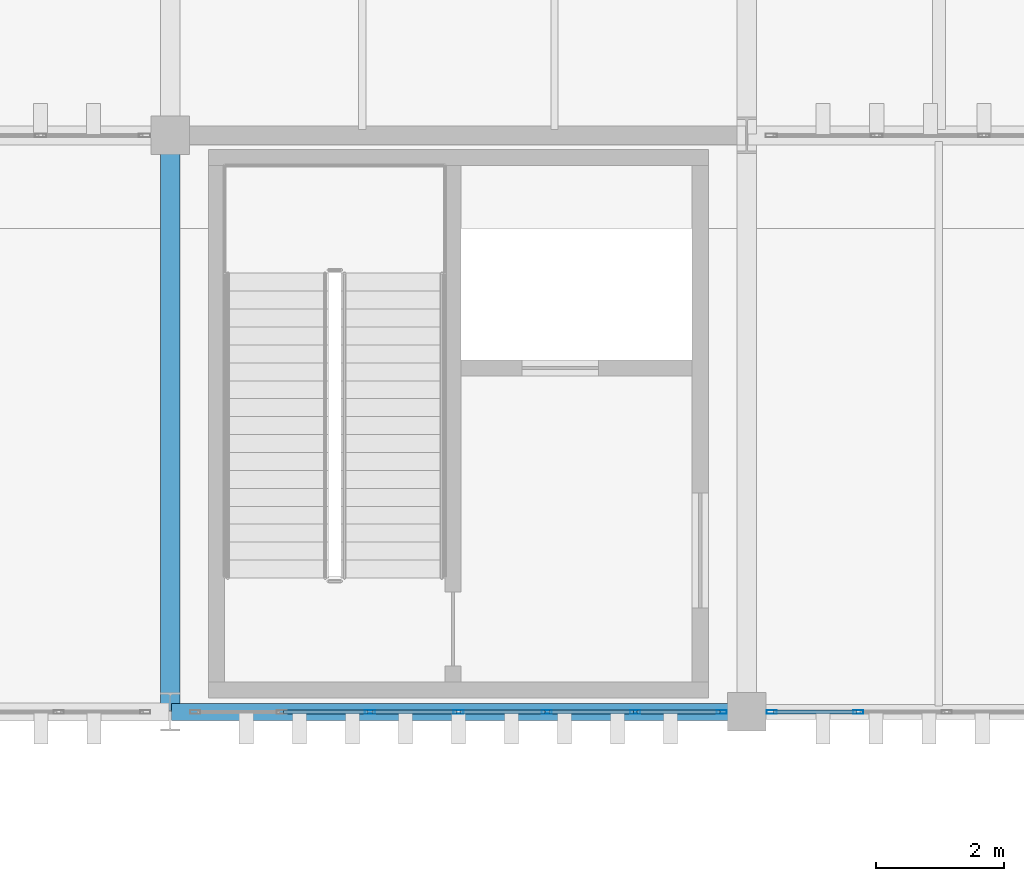
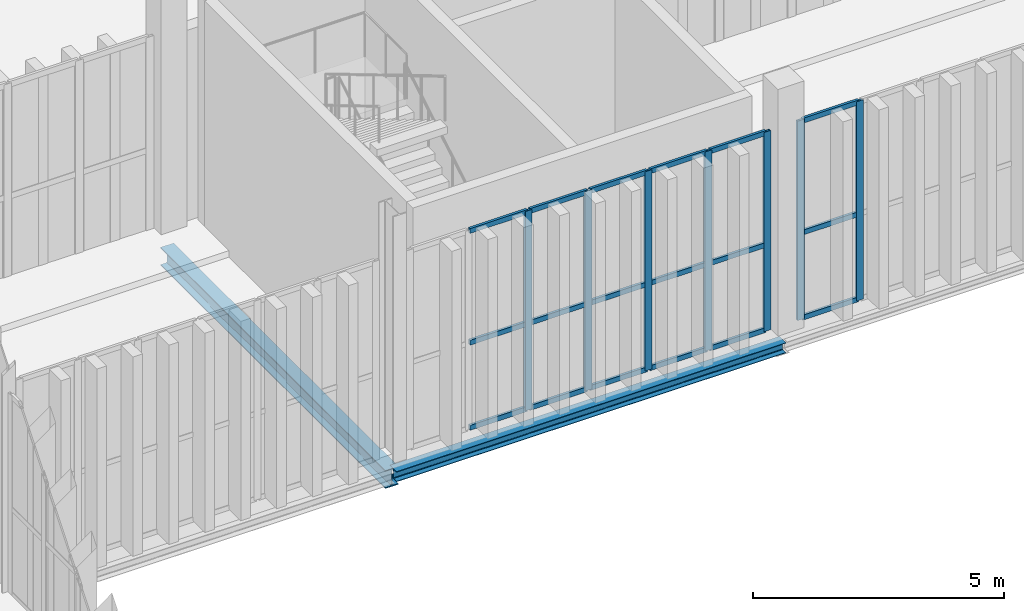
# One storey, part 141 of 237: 25 members, 2 beams, 2 elements without a shape of their own.
"""IFC4 building model written with IfcOpenShell, lengths in metres."""

from ifc_helpers import new_model, si_unit, direction, frame, origin, origin_2d, place, context, subcontext, project, spatial, hollow_rectangle, i_section, extrude, material, layer, layer_set, material_profile, profile_set, type_object, element, aggregate, save


model = new_model("IFC4")

# Units and contexts
model_context = context("Model", 3, precision=1e-05, world=origin(), true_north=direction((0.0, 1.0)))
body_context = subcontext(model_context, "Body", "Model", "MODEL_VIEW")
ifc_project = project(units=[si_unit("LENGTHUNIT", "METRE"), si_unit("AREAUNIT", "SQUARE_METRE"), si_unit("VOLUMEUNIT", "CUBIC_METRE"), si_unit("PLANEANGLEUNIT", "RADIAN"), si_unit("MASSUNIT", "GRAM", prefix="KILO")], contexts=[model_context])

# Site, building, storey
site_placement = place(None, origin())
site = spatial("IfcSite", under=ifc_project, at=site_placement, CompositionType="ELEMENT")
building_placement = place(site_placement, origin())
building = spatial("IfcBuilding", under=site, at=building_placement, Name="Barlavento Convention Centre", CompositionType="ELEMENT")
storey_placement = place(building_placement, frame((0.0, 0.0, 12.0)))
storey = spatial("IfcBuildingStorey", under=building, at=storey_placement, Name="L02", CompositionType="ELEMENT", Elevation=12.0)

# Curtain wall, members
ifc_material_1 = material(Name="Powder-coated aluminium and Low-E glass", Category="aluminium")
ifc_layer = layer(ifc_material_1, 0.195068359375)
ifc_layer_set = layer_set([ifc_layer], Name="ARC-CW-PATIO-A")
curtain_wall_type = type_object("IfcCurtainWallType", Name="ARC-CW-PATIO-A", PredefinedType="NOTDEFINED", material=ifc_layer_set)
curtain_wall_1_placement = place(storey_placement, origin())
curtain_wall_1 = element("IfcCurtainWall", 1, at=curtain_wall_1_placement, inside=storey, type_object=curtain_wall_type, Name="L02 unitised curtain wall CW11", PredefinedType="NOTDEFINED")
ifc_material_2 = material(Name="Powder-coated aluminium", Category="aluminium")
ifc_material_profile_1 = material_profile(ifc_material_2, hollow_rectangle(XDim=0.06005859375, YDim=0.159912109375, WallThickness=0.00390625, at=origin_2d()), Name="AL-MULL 60x160x4")
ifc_profile_set_1 = profile_set([ifc_material_profile_1], Name="Powder-coated aluminium")
member_type_1 = type_object("IfcMemberType", Name="ARC-CWM-60X160", PredefinedType="MULLION", material=ifc_profile_set_1)
member_1_placement = place(storey_placement, frame((147.1201171875, 90.0, 0.0), z_axis=(0.0, 0.0, 1.0), x_axis=(0.0, 1.0, 0.0)))
member_1 = element("IfcMember", 2, at=member_1_placement, type_object=member_type_1, Name="CW11 mullion 3", PredefinedType="MULLION", context=body_context, shape_type="SweptSolid", body=[
    extrude(hollow_rectangle(XDim=0.06005859375, YDim=0.159912109375, WallThickness=0.00390625, at=origin_2d()), origin(), (0.0, 0.0, 1.0), 4.85009765625),
])
member_2_placement = place(storey_placement, frame((148.5, 90.0, 0.0), z_axis=(0.0, 0.0, 1.0), x_axis=(0.0, 1.0, 0.0)))
member_2 = element("IfcMember", 3, at=member_2_placement, type_object=member_type_1, Name="CW11 mullion 4", PredefinedType="MULLION", context=body_context, shape_type="SweptSolid", body=[
    extrude(hollow_rectangle(XDim=0.06005859375, YDim=0.159912109375, WallThickness=0.00390625, at=origin_2d()), origin(), (0.0, 0.0, 1.0), 4.85009765625),
])
member_3_placement = place(storey_placement, frame((149.8798828125, 90.0, 0.0), z_axis=(0.0, 0.0, 1.0), x_axis=(0.0, 1.0, 0.0)))
member_3 = element("IfcMember", 4, at=member_3_placement, type_object=member_type_1, Name="CW11 mullion 5", PredefinedType="MULLION", context=body_context, shape_type="SweptSolid", body=[
    extrude(hollow_rectangle(XDim=0.06005859375, YDim=0.159912109375, WallThickness=0.00390625, at=origin_2d()), origin(), (0.0, 0.0, 1.0), 4.85009765625),
])
member_4_placement = place(storey_placement, frame((151.260009765625, 90.0, 0.0), z_axis=(0.0, 0.0, 1.0), x_axis=(0.0, 1.0, 0.0)))
member_4 = element("IfcMember", 5, at=member_4_placement, type_object=member_type_1, Name="CW11 mullion 6", PredefinedType="MULLION", context=body_context, shape_type="SweptSolid", body=[
    extrude(hollow_rectangle(XDim=0.06005859375, YDim=0.159912109375, WallThickness=0.00390625, at=origin_2d()), origin(), (0.0, 0.0, 1.0), 4.85009765625),
])
member_5_placement = place(storey_placement, frame((152.610107421875, 90.0, 0.0), z_axis=(0.0, 0.0, 1.0), x_axis=(0.0, 1.0, 0.0)))
member_5 = element("IfcMember", 6, at=member_5_placement, type_object=member_type_1, Name="CW11 mullion 7", PredefinedType="MULLION", context=body_context, shape_type="SweptSolid", body=[
    extrude(hollow_rectangle(XDim=0.06005859375, YDim=0.159912109375, WallThickness=0.00390625, at=origin_2d()), origin(), (0.0, 0.0, 1.0), 4.85009765625),
])

curtain_wall_2_placement = place(storey_placement, origin())
curtain_wall_2 = element("IfcCurtainWall", 7, at=curtain_wall_2_placement, inside=storey, type_object=curtain_wall_type, Name="L02 unitised curtain wall CW11", PredefinedType="NOTDEFINED")
member_6_placement = place(storey_placement, frame((153.389892578125, 90.0, 0.0), z_axis=(0.0, 0.0, 1.0), x_axis=(0.0, 1.0, 0.0)))
member_6 = element("IfcMember", 8, at=member_6_placement, type_object=member_type_1, Name="CW11 mullion 1", PredefinedType="MULLION", context=body_context, shape_type="SweptSolid", body=[
    extrude(hollow_rectangle(XDim=0.06005859375, YDim=0.159912109375, WallThickness=0.00390625, at=origin_2d()), origin(), (0.0, 0.0, 1.0), 4.85009765625),
])
member_7_placement = place(storey_placement, frame((154.742431640625, 90.0, 0.0), z_axis=(0.0, 0.0, 1.0), x_axis=(0.0, 1.0, 0.0)))
member_7 = element("IfcMember", 9, at=member_7_placement, type_object=member_type_1, Name="CW11 mullion 2", PredefinedType="MULLION", context=body_context, shape_type="SweptSolid", body=[
    extrude(hollow_rectangle(XDim=0.06005859375, YDim=0.159912109375, WallThickness=0.00390625, at=origin_2d()), origin(), (0.0, 0.0, 1.0), 4.85009765625),
])

# Member
ifc_material_profile_2 = material_profile(ifc_material_2, hollow_rectangle(XDim=0.06005859375, YDim=0.1201171875, WallThickness=0.00390625, at=origin_2d()), Name="AL-TRAN 60x120x4")
ifc_profile_set_2 = profile_set([ifc_material_profile_2], Name="Powder-coated aluminium")
member_type_2 = type_object("IfcMemberType", Name="ARC-CWT-60X120", PredefinedType="USERDEFINED", material=ifc_profile_set_2)
member_8_placement = place(storey_placement, frame((145.77001953125, 90.0, 0.030029296875), z_axis=(1.0, 0.0, 0.0), x_axis=(0.0, 1.0, 0.0)))
member_8 = element("IfcMember", 10, at=member_8_placement, type_object=member_type_2, Name="CW11 transom 2.1", ObjectType="TRANSOM", PredefinedType="USERDEFINED", context=body_context, shape_type="SweptSolid", body=[
    extrude(hollow_rectangle(XDim=0.06005859375, YDim=0.1201171875, WallThickness=0.00390625, at=origin_2d()), origin(), (0.0, 0.0, 1.0), 1.320068359375),
])

member_9_placement = place(storey_placement, frame((145.77001953125, 90.0, 2.10009765625), z_axis=(1.0, 0.0, 0.0), x_axis=(0.0, 1.0, 0.0)))
member_9 = element("IfcMember", 11, at=member_9_placement, type_object=member_type_2, Name="CW11 transom 2.2", ObjectType="TRANSOM", PredefinedType="USERDEFINED", context=body_context, shape_type="SweptSolid", body=[
    extrude(hollow_rectangle(XDim=0.06005859375, YDim=0.1201171875, WallThickness=0.00390625, at=origin_2d()), origin(), (0.0, 0.0, 1.0), 1.320068359375),
])

member_10_placement = place(storey_placement, frame((145.77001953125, 90.0, 4.820068359375), z_axis=(1.0, 0.0, 0.0), x_axis=(0.0, 1.0, 0.0)))
member_10 = element("IfcMember", 12, at=member_10_placement, type_object=member_type_2, Name="CW11 transom 2.3", ObjectType="TRANSOM", PredefinedType="USERDEFINED", context=body_context, shape_type="SweptSolid", body=[
    extrude(hollow_rectangle(XDim=0.06005859375, YDim=0.1201171875, WallThickness=0.00390625, at=origin_2d()), origin(), (0.0, 0.0, 1.0), 1.320068359375),
])

member_11_placement = place(storey_placement, frame((147.14990234375, 90.0, 0.030029296875), z_axis=(1.0, 0.0, 0.0), x_axis=(0.0, 1.0, 0.0)))
member_11 = element("IfcMember", 13, at=member_11_placement, type_object=member_type_2, Name="CW11 transom 3.1", ObjectType="TRANSOM", PredefinedType="USERDEFINED", context=body_context, shape_type="SweptSolid", body=[
    extrude(hollow_rectangle(XDim=0.06005859375, YDim=0.1201171875, WallThickness=0.00390625, at=origin_2d()), origin(), (0.0, 0.0, 1.0), 1.320068359375),
])

member_12_placement = place(storey_placement, frame((147.14990234375, 90.0, 2.10009765625), z_axis=(1.0, 0.0, 0.0), x_axis=(0.0, 1.0, 0.0)))
member_12 = element("IfcMember", 14, at=member_12_placement, type_object=member_type_2, Name="CW11 transom 3.2", ObjectType="TRANSOM", PredefinedType="USERDEFINED", context=body_context, shape_type="SweptSolid", body=[
    extrude(hollow_rectangle(XDim=0.06005859375, YDim=0.1201171875, WallThickness=0.00390625, at=origin_2d()), origin(), (0.0, 0.0, 1.0), 1.320068359375),
])

member_13_placement = place(storey_placement, frame((147.14990234375, 90.0, 4.820068359375), z_axis=(1.0, 0.0, 0.0), x_axis=(0.0, 1.0, 0.0)))
member_13 = element("IfcMember", 15, at=member_13_placement, type_object=member_type_2, Name="CW11 transom 3.3", ObjectType="TRANSOM", PredefinedType="USERDEFINED", context=body_context, shape_type="SweptSolid", body=[
    extrude(hollow_rectangle(XDim=0.06005859375, YDim=0.1201171875, WallThickness=0.00390625, at=origin_2d()), origin(), (0.0, 0.0, 1.0), 1.320068359375),
])

member_14_placement = place(storey_placement, frame((148.530029296875, 90.0, 0.030029296875), z_axis=(1.0, 0.0, 0.0), x_axis=(0.0, 1.0, 0.0)))
member_14 = element("IfcMember", 16, at=member_14_placement, type_object=member_type_2, Name="CW11 transom 4.1", ObjectType="TRANSOM", PredefinedType="USERDEFINED", context=body_context, shape_type="SweptSolid", body=[
    extrude(hollow_rectangle(XDim=0.06005859375, YDim=0.1201171875, WallThickness=0.00390625, at=origin_2d()), origin(), (0.0, 0.0, 1.0), 1.320068359375),
])

member_15_placement = place(storey_placement, frame((148.530029296875, 90.0, 2.10009765625), z_axis=(1.0, 0.0, 0.0), x_axis=(0.0, 1.0, 0.0)))
member_15 = element("IfcMember", 17, at=member_15_placement, type_object=member_type_2, Name="CW11 transom 4.2", ObjectType="TRANSOM", PredefinedType="USERDEFINED", context=body_context, shape_type="SweptSolid", body=[
    extrude(hollow_rectangle(XDim=0.06005859375, YDim=0.1201171875, WallThickness=0.00390625, at=origin_2d()), origin(), (0.0, 0.0, 1.0), 1.320068359375),
])

member_16_placement = place(storey_placement, frame((148.530029296875, 90.0, 4.820068359375), z_axis=(1.0, 0.0, 0.0), x_axis=(0.0, 1.0, 0.0)))
member_16 = element("IfcMember", 18, at=member_16_placement, type_object=member_type_2, Name="CW11 transom 4.3", ObjectType="TRANSOM", PredefinedType="USERDEFINED", context=body_context, shape_type="SweptSolid", body=[
    extrude(hollow_rectangle(XDim=0.06005859375, YDim=0.1201171875, WallThickness=0.00390625, at=origin_2d()), origin(), (0.0, 0.0, 1.0), 1.320068359375),
])

member_17_placement = place(storey_placement, frame((149.909912109375, 90.0, 0.030029296875), z_axis=(1.0, 0.0, 0.0), x_axis=(0.0, 1.0, 0.0)))
member_17 = element("IfcMember", 19, at=member_17_placement, type_object=member_type_2, Name="CW11 transom 5.1", ObjectType="TRANSOM", PredefinedType="USERDEFINED", context=body_context, shape_type="SweptSolid", body=[
    extrude(hollow_rectangle(XDim=0.06005859375, YDim=0.1201171875, WallThickness=0.00390625, at=origin_2d()), origin(), (0.0, 0.0, 1.0), 1.320068359375),
])

member_18_placement = place(storey_placement, frame((149.909912109375, 90.0, 2.10009765625), z_axis=(1.0, 0.0, 0.0), x_axis=(0.0, 1.0, 0.0)))
member_18 = element("IfcMember", 20, at=member_18_placement, type_object=member_type_2, Name="CW11 transom 5.2", ObjectType="TRANSOM", PredefinedType="USERDEFINED", context=body_context, shape_type="SweptSolid", body=[
    extrude(hollow_rectangle(XDim=0.06005859375, YDim=0.1201171875, WallThickness=0.00390625, at=origin_2d()), origin(), (0.0, 0.0, 1.0), 1.320068359375),
])

member_19_placement = place(storey_placement, frame((149.909912109375, 90.0, 4.820068359375), z_axis=(1.0, 0.0, 0.0), x_axis=(0.0, 1.0, 0.0)))
member_19 = element("IfcMember", 21, at=member_19_placement, type_object=member_type_2, Name="CW11 transom 5.3", ObjectType="TRANSOM", PredefinedType="USERDEFINED", context=body_context, shape_type="SweptSolid", body=[
    extrude(hollow_rectangle(XDim=0.06005859375, YDim=0.1201171875, WallThickness=0.00390625, at=origin_2d()), origin(), (0.0, 0.0, 1.0), 1.320068359375),
])

member_20_placement = place(storey_placement, frame((151.2900390625, 90.0, 0.030029296875), z_axis=(1.0, 0.0, 0.0), x_axis=(0.0, 1.0, 0.0)))
member_20 = element("IfcMember", 22, at=member_20_placement, type_object=member_type_2, Name="CW11 transom 6.1", ObjectType="TRANSOM", PredefinedType="USERDEFINED", context=body_context, shape_type="SweptSolid", body=[
    extrude(hollow_rectangle(XDim=0.06005859375, YDim=0.1201171875, WallThickness=0.00390625, at=origin_2d()), origin(), (0.0, 0.0, 1.0), 1.2900390625),
])

member_21_placement = place(storey_placement, frame((151.2900390625, 90.0, 2.10009765625), z_axis=(1.0, 0.0, 0.0), x_axis=(0.0, 1.0, 0.0)))
member_21 = element("IfcMember", 23, at=member_21_placement, type_object=member_type_2, Name="CW11 transom 6.2", ObjectType="TRANSOM", PredefinedType="USERDEFINED", context=body_context, shape_type="SweptSolid", body=[
    extrude(hollow_rectangle(XDim=0.06005859375, YDim=0.1201171875, WallThickness=0.00390625, at=origin_2d()), origin(), (0.0, 0.0, 1.0), 1.2900390625),
])

member_22_placement = place(storey_placement, frame((151.2900390625, 90.0, 4.820068359375), z_axis=(1.0, 0.0, 0.0), x_axis=(0.0, 1.0, 0.0)))
member_22 = element("IfcMember", 24, at=member_22_placement, type_object=member_type_2, Name="CW11 transom 6.3", ObjectType="TRANSOM", PredefinedType="USERDEFINED", context=body_context, shape_type="SweptSolid", body=[
    extrude(hollow_rectangle(XDim=0.06005859375, YDim=0.1201171875, WallThickness=0.00390625, at=origin_2d()), origin(), (0.0, 0.0, 1.0), 1.2900390625),
])

aggregate(curtain_wall_1, [member_1, member_2, member_3, member_4, member_5, member_8, member_9, member_10, member_11, member_12, member_13, member_14, member_15, member_16, member_17, member_18, member_19, member_20, member_21, member_22])

member_23_placement = place(storey_placement, frame((153.419921875, 90.0, 0.030029296875), z_axis=(1.0, 0.0, 0.0), x_axis=(0.0, 1.0, 0.0)))
member_23 = element("IfcMember", 25, at=member_23_placement, type_object=member_type_2, Name="CW11 transom 1.1", ObjectType="TRANSOM", PredefinedType="USERDEFINED", context=body_context, shape_type="SweptSolid", body=[
    extrude(hollow_rectangle(XDim=0.06005859375, YDim=0.1201171875, WallThickness=0.00390625, at=origin_2d()), origin(), (0.0, 0.0, 1.0), 1.29248046875),
])

member_24_placement = place(storey_placement, frame((153.419921875, 90.0, 2.10009765625), z_axis=(1.0, 0.0, 0.0), x_axis=(0.0, 1.0, 0.0)))
member_24 = element("IfcMember", 26, at=member_24_placement, type_object=member_type_2, Name="CW11 transom 1.2", ObjectType="TRANSOM", PredefinedType="USERDEFINED", context=body_context, shape_type="SweptSolid", body=[
    extrude(hollow_rectangle(XDim=0.06005859375, YDim=0.1201171875, WallThickness=0.00390625, at=origin_2d()), origin(), (0.0, 0.0, 1.0), 1.29248046875),
])

member_25_placement = place(storey_placement, frame((153.419921875, 90.0, 4.820068359375), z_axis=(1.0, 0.0, 0.0), x_axis=(0.0, 1.0, 0.0)))
member_25 = element("IfcMember", 27, at=member_25_placement, type_object=member_type_2, Name="CW11 transom 1.3", ObjectType="TRANSOM", PredefinedType="USERDEFINED", context=body_context, shape_type="SweptSolid", body=[
    extrude(hollow_rectangle(XDim=0.06005859375, YDim=0.1201171875, WallThickness=0.00390625, at=origin_2d()), origin(), (0.0, 0.0, 1.0), 1.29248046875),
])

aggregate(curtain_wall_2, [member_6, member_7, member_23, member_24, member_25])

# Beams
ifc_material_3 = material(Name="Steel S355", Category="steel")
ifc_material_profile_3 = material_profile(ifc_material_3, i_section(OverallWidth=0.300048828125, OverallDepth=0.43994140625, WebThickness=0.011474609375, FlangeThickness=0.02099609375, FilletRadius=0.027099609375, at=origin_2d()), Name="HEA 450")
ifc_profile_set_3 = profile_set([ifc_material_profile_3], Name="Steel S355")
beam_type_1 = type_object("IfcBeamType", Name="STR-BM-PRI-HEA450", PredefinedType="BEAM", material=ifc_profile_set_3)
beam_1_placement = place(storey_placement, frame((144.0, 90.02001953125, -0.5849609375), z_axis=(0.0, 1.0, 0.0), x_axis=(-1.0, 0.0, 0.0)))
element("IfcBeam", 28, at=beam_1_placement, inside=storey, type_object=beam_type_1, Name="L02 grid girder BG21", PredefinedType="BEAM", context=body_context, shape_type="SweptSolid", body=[
    extrude(i_section(OverallWidth=0.300048828125, OverallDepth=0.43994140625, WebThickness=0.011474609375, FlangeThickness=0.02099609375, FilletRadius=0.027099609375, at=origin_2d()), origin(), (0.0, 0.0, 1.0), 8.9599609375),
])
ifc_material_profile_4 = material_profile(ifc_material_3, i_section(OverallWidth=0.260009765625, OverallDepth=0.25, WebThickness=0.007568359375, FlangeThickness=0.012451171875, FilletRadius=0.02392578125, at=origin_2d()), Name="HEA 260")
ifc_profile_set_4 = profile_set([ifc_material_profile_4], Name="Steel S355")
beam_type_2 = type_object("IfcBeamType", Name="STR-BM-SPN-HEA260", PredefinedType="SPANDREL", material=ifc_profile_set_4)
beam_2_placement = place(storey_placement, frame((144.02001953125, 90.0, -0.485107421875), z_axis=(1.0, 0.0, 0.0), x_axis=(0.0, 1.0, 0.0)))
element("IfcBeam", 29, at=beam_2_placement, inside=storey, type_object=beam_type_2, Name="L02 primary girder SP04", PredefinedType="SPANDREL", context=body_context, shape_type="SweptSolid", body=[
    extrude(i_section(OverallWidth=0.260009765625, OverallDepth=0.25, WebThickness=0.007568359375, FlangeThickness=0.012451171875, FilletRadius=0.02392578125, at=origin_2d()), origin(), (0.0, 0.0, 1.0), 8.9599609375),
])

save(model, "model.ifc")
